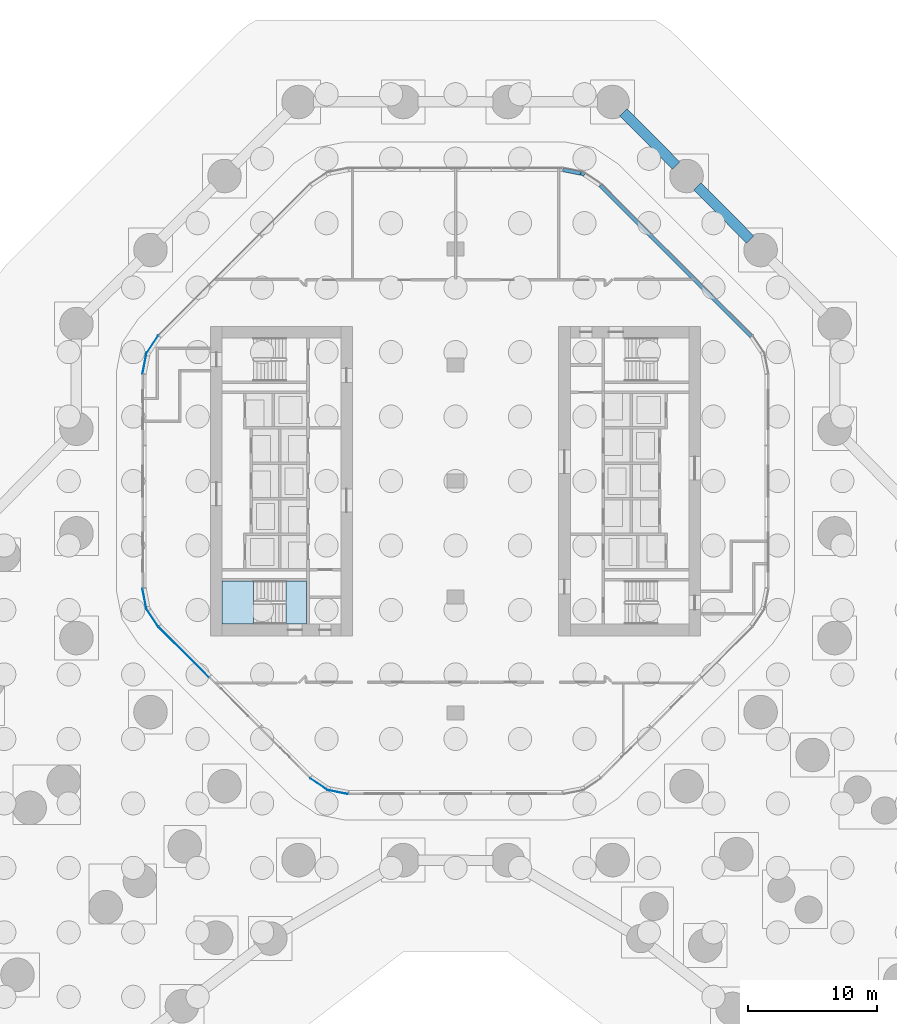
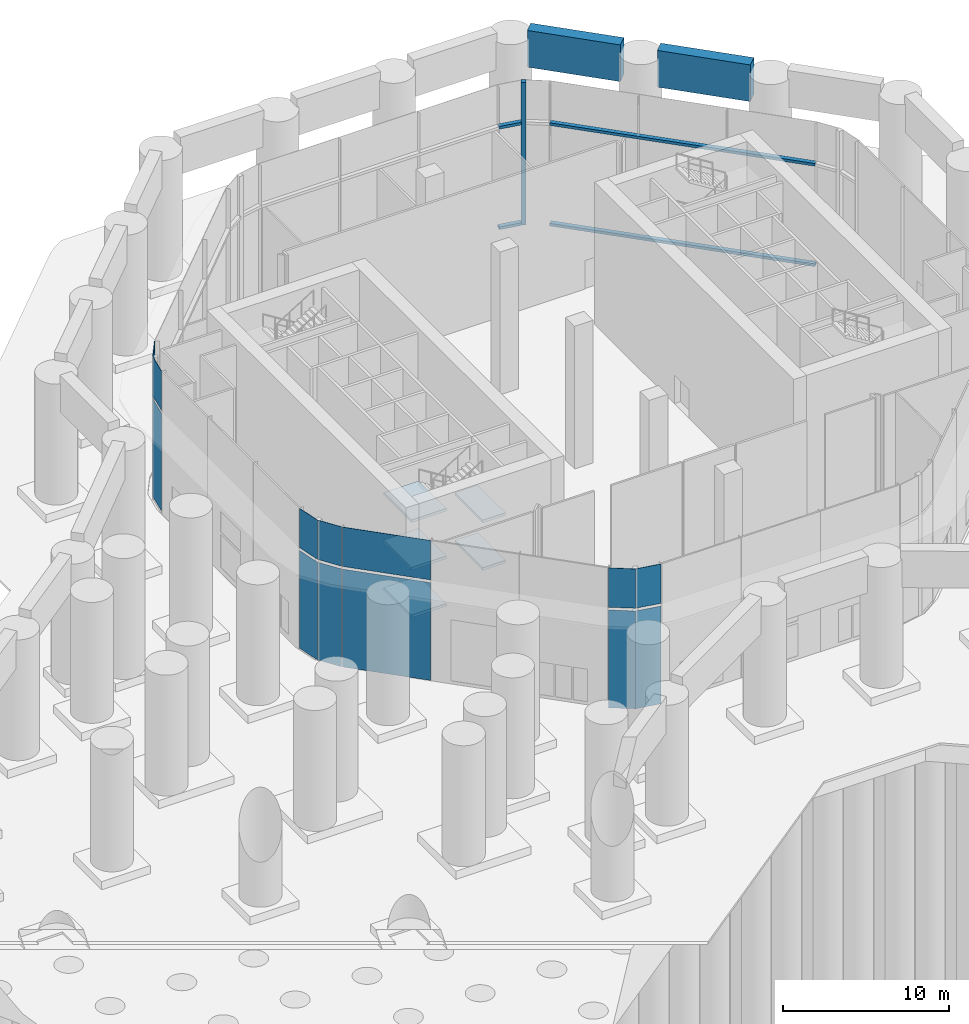
# One storey, part 19 of 31: 14 plates, 5 members, 5 slabs, 2 beams, 11 elements without a shape of their own.
"""IFC4 building model written with IfcOpenShell, lengths in metres."""

from ifc_helpers import new_model, si_unit, direction, frame, origin, origin_2d, place, context, subcontext, project, spatial, polyline, rectangle, outline, extrude, material, layer, layer_set, material_profile, profile_set, type_object, element, aggregate, save


model = new_model("IFC4")

# Units and contexts
model_context = context("Model", 3, precision=1e-05, world=origin(), true_north=direction((0.0, 1.0)))
body_context = subcontext(model_context, "Body", "Model", "MODEL_VIEW")
ifc_project = project(units=[si_unit("LENGTHUNIT", "METRE"), si_unit("AREAUNIT", "SQUARE_METRE"), si_unit("VOLUMEUNIT", "CUBIC_METRE"), si_unit("PLANEANGLEUNIT", "RADIAN"), si_unit("MASSUNIT", "GRAM", prefix="KILO")], contexts=[model_context])

# Site, building, storey
site_placement = place(None, origin())
site = spatial("IfcSite", under=ifc_project, at=site_placement, CompositionType="ELEMENT")
building_placement = place(site_placement, origin())
building = spatial("IfcBuilding", under=site, at=building_placement, Name="Orlundy Tower", CompositionType="ELEMENT")
storey_placement = place(building_placement, origin())
storey = spatial("IfcBuildingStorey", under=building, at=storey_placement, Name="L00", CompositionType="ELEMENT", Elevation=0.0)

# Curtain wall, member
ifc_material_1 = material(Name="Aluminium bronze anodised", Category="aluminium")
curtain_wall_type = type_object("IfcCurtainWallType", Name="CW3 wall", PredefinedType="NOTDEFINED", material=ifc_material_1)
curtain_wall_1_placement = place(storey_placement, origin())
curtain_wall_1 = element("IfcCurtainWall", 1, at=curtain_wall_1_placement, inside=storey, type_object=curtain_wall_type, Name="CW3 run 013", PredefinedType="NOTDEFINED")
ifc_material_2 = material(Name="Aluminium bronze anodised", Category="aluminium")
ifc_material_profile_1 = material_profile(ifc_material_2, rectangle(XDim=0.300048828125, YDim=0.300048828125, at=origin_2d()), Name="CW3 corner post 300x300")
ifc_profile_set_1 = profile_set([ifc_material_profile_1], Name="Aluminium bronze anodised")
member_type_1 = type_object("IfcMemberType", Name="CW3 corner post 300x300", PredefinedType="MULLION", material=ifc_profile_set_1)
member_1_placement = place(storey_placement, frame((9.87353515625, 23.83740234375, -0.39990234375), z_axis=(0.0, 0.0, 1.0), x_axis=(0.556177992729, 0.831063198802, 0.0)))
member_1 = element("IfcMember", 2, at=member_1_placement, type_object=member_type_1, Name="CW3 mullion 22", PredefinedType="MULLION", context=body_context, shape_type="SweptSolid", body=[
    extrude(rectangle(XDim=0.300048828125, YDim=0.300048828125, at=origin_2d()), origin(), (0.0, 0.0, 1.0), 10.5),
])
aggregate(curtain_wall_1, [member_1])

# Curtain wall, members
curtain_wall_2_placement = place(storey_placement, origin())
curtain_wall_2 = element("IfcCurtainWall", 3, at=curtain_wall_2_placement, inside=storey, type_object=curtain_wall_type, Name="CW3 run 012", PredefinedType="NOTDEFINED")
ifc_material_3 = material(Name="Aluminium bronze anodised", Category="aluminium")
ifc_material_profile_2 = material_profile(ifc_material_3, rectangle(XDim=0.300048828125, YDim=0.199951171875, at=origin_2d()), Name="CW3 transom 300x200")
ifc_profile_set_2 = profile_set([ifc_material_profile_2], Name="Aluminium bronze anodised")
member_type_2 = type_object("IfcMemberType", Name="CW3 transom 300x200", PredefinedType="USERDEFINED", material=ifc_profile_set_2)
member_2_placement = place(storey_placement, frame((8.313232421875, 24.147216796875, -0.300048828125), z_axis=(0.980836198653, -0.194834163873, 0.0), x_axis=(0.194834163873, 0.980836198653, 0.0)))
member_2 = element("IfcMember", 4, at=member_2_placement, type_object=member_type_2, Name="CW3 transom", ObjectType="TRANSOM", PredefinedType="USERDEFINED", context=body_context, shape_type="SweptSolid", body=[
    extrude(rectangle(XDim=0.300048828125, YDim=0.199951171875, at=origin_2d()), origin(), (0.0, 0.0, 1.0), 1.428466796875),
])
member_3_placement = place(storey_placement, frame((8.313232421875, 24.147216796875, 7.10009765625), z_axis=(0.980836198653, -0.194834163873, 0.0), x_axis=(0.194834163873, 0.980836198653, 0.0)))
member_3 = element("IfcMember", 5, at=member_3_placement, type_object=member_type_2, Name="CW3 transom", ObjectType="TRANSOM", PredefinedType="USERDEFINED", context=body_context, shape_type="SweptSolid", body=[
    extrude(rectangle(XDim=0.300048828125, YDim=0.199951171875, at=origin_2d()), origin(), (0.0, 0.0, 1.0), 1.428466796875),
])
aggregate(curtain_wall_2, [member_2, member_3])

curtain_wall_3_placement = place(storey_placement, origin())
curtain_wall_3 = element("IfcCurtainWall", 6, at=curtain_wall_3_placement, inside=storey, type_object=curtain_wall_type, Name="CW3 run 014", PredefinedType="NOTDEFINED")
member_4_placement = place(storey_placement, frame((11.218017578125, 22.93408203125, -0.300048828125), z_axis=(0.707106781187, -0.707106781187, 0.0), x_axis=(0.707106781187, 0.707106781187, 0.0)))
member_4 = element("IfcMember", 7, at=member_4_placement, type_object=member_type_2, Name="CW3 transom", ObjectType="TRANSOM", PredefinedType="USERDEFINED", context=body_context, shape_type="SweptSolid", body=[
    extrude(rectangle(XDim=0.300048828125, YDim=0.199951171875, at=origin_2d()), origin(), (0.0, 0.0, 1.0), 16.569091796875),
])
member_5_placement = place(storey_placement, frame((11.218017578125, 22.93408203125, 7.10009765625), z_axis=(0.707106781187, -0.707106781187, 0.0), x_axis=(0.707106781187, 0.707106781187, 0.0)))
member_5 = element("IfcMember", 8, at=member_5_placement, type_object=member_type_2, Name="CW3 transom", ObjectType="TRANSOM", PredefinedType="USERDEFINED", context=body_context, shape_type="SweptSolid", body=[
    extrude(rectangle(XDim=0.300048828125, YDim=0.199951171875, at=origin_2d()), origin(), (0.0, 0.0, 1.0), 16.569091796875),
])
aggregate(curtain_wall_3, [member_4, member_5])

# Beams
ifc_material_4 = material(Name="Concrete C80/95", Category="concrete")
ifc_material_profile_3 = material_profile(ifc_material_4, rectangle(XDim=0.800048828125, YDim=2.699951171875, at=origin_2d()), Name="RC800X2700")
ifc_profile_set_3 = profile_set([ifc_material_profile_3], Name="Concrete C80/95")
beam_type = type_object("IfcBeamType", Name="RC FASCIA BEAM RC800X2700 C80/95", PredefinedType="BEAM", material=ifc_profile_set_3)
beam_1_placement = place(storey_placement, frame((13.010986328125, 28.60693359375, 8.75), z_axis=(0.704248120444, -0.709953931499, 0.0), x_axis=(0.709953931499, 0.704248120444, 0.0)))
element("IfcBeam", 9, at=beam_1_placement, inside=storey, type_object=beam_type, Name="Fascia beam 24", PredefinedType="BEAM", context=body_context, shape_type="SweptSolid", body=[
    extrude(rectangle(XDim=0.800048828125, YDim=2.699951171875, at=origin_2d()), origin(), (0.0, 0.0, 1.0), 5.819091796875),
])
beam_2_placement = place(storey_placement, frame((18.751953125, 22.865966796875, 8.75), z_axis=(0.704247440474, -0.709954606003, 0.0), x_axis=(0.709954606003, 0.704247440474, 0.0)))
element("IfcBeam", 10, at=beam_2_placement, inside=storey, type_object=beam_type, Name="Fascia beam 25", PredefinedType="BEAM", context=body_context, shape_type="SweptSolid", body=[
    extrude(rectangle(XDim=0.800048828125, YDim=2.699951171875, at=origin_2d()), origin(), (0.0, 0.0, 1.0), 5.81787109375),
])

# Curtain wall, plates
curtain_wall_4_placement = place(storey_placement, origin())
curtain_wall_4 = element("IfcCurtainWall", 11, at=curtain_wall_4_placement, inside=storey, type_object=curtain_wall_type, Name="CW3 run 00", PredefinedType="NOTDEFINED")
ifc_material_5 = material(Name="Tinted glass", Category="glass")
ifc_layer_1 = layer(ifc_material_5, 0.02490234375)
ifc_layer_set_1 = layer_set([ifc_layer_1], Name="CW3 glass panel 25")
plate_type = type_object("IfcPlateType", Name="CW3 glass panel 25", PredefinedType="CURTAIN_PANEL", material=ifc_layer_set_1)
plate_1_placement = place(storey_placement, frame((-9.133544921875, -24.12451171875, -0.2001953125), z_axis=(0.0, 0.0, 1.0), x_axis=(-0.980850787713, 0.19476070508, 0.0)))
plate_1 = element("IfcPlate", 12, at=plate_1_placement, type_object=plate_type, Name="CW3 panel", PredefinedType="CURTAIN_PANEL", context=body_context, shape_type="SweptSolid", body=[
    extrude(rectangle(XDim=1.6181640625, YDim=0.02490234375, at=origin_2d()), origin(), (0.0, 0.0, 1.0), 7.199951171875),
])
plate_2_placement = place(storey_placement, frame((-9.133544921875, -24.12451171875, 7.199951171875), z_axis=(0.0, 0.0, 1.0), x_axis=(-0.980850787713, 0.19476070508, 0.0)))
plate_2 = element("IfcPlate", 13, at=plate_2_placement, type_object=plate_type, Name="CW3 panel", PredefinedType="CURTAIN_PANEL", context=body_context, shape_type="SweptSolid", body=[
    extrude(rectangle(XDim=1.6181640625, YDim=0.02490234375, at=origin_2d()), origin(), (0.0, 0.0, 1.0), 2.89990234375),
])
aggregate(curtain_wall_4, [plate_1, plate_2])

curtain_wall_5_placement = place(storey_placement, origin())
curtain_wall_5 = element("IfcCurtainWall", 14, at=curtain_wall_5_placement, inside=storey, type_object=curtain_wall_type, Name="CW3 run 01", PredefinedType="NOTDEFINED")
plate_3_placement = place(storey_placement, frame((-10.599609375, -23.516845703125, -0.2001953125), z_axis=(0.0, 0.0, 1.0), x_axis=(-0.831063198802, 0.556177992729, 0.0)))
plate_3 = element("IfcPlate", 15, at=plate_3_placement, type_object=plate_type, Name="CW3 panel", PredefinedType="CURTAIN_PANEL", context=body_context, shape_type="SweptSolid", body=[
    extrude(rectangle(XDim=1.617919921875, YDim=0.02490234375, at=origin_2d()), origin(), (0.0, 0.0, 1.0), 7.199951171875),
])
plate_4_placement = place(storey_placement, frame((-10.599609375, -23.516845703125, 7.199951171875), z_axis=(0.0, 0.0, 1.0), x_axis=(-0.831063198802, 0.556177992729, 0.0)))
plate_4 = element("IfcPlate", 16, at=plate_4_placement, type_object=plate_type, Name="CW3 panel", PredefinedType="CURTAIN_PANEL", context=body_context, shape_type="SweptSolid", body=[
    extrude(rectangle(XDim=1.617919921875, YDim=0.02490234375, at=origin_2d()), origin(), (0.0, 0.0, 1.0), 2.89990234375),
])
aggregate(curtain_wall_5, [plate_3, plate_4])

curtain_wall_6_placement = place(storey_placement, origin())
curtain_wall_6 = element("IfcCurtainWall", 17, at=curtain_wall_6_placement, inside=storey, type_object=curtain_wall_type, Name="CW3 run 02", PredefinedType="NOTDEFINED")
plate_5_placement = place(storey_placement, frame((-21.08203125, -13.2646484375, -0.2001953125), z_axis=(0.0, 0.0, 1.0), x_axis=(-0.707106781187, 0.707106781187, 0.0)))
plate_5 = element("IfcPlate", 18, at=plate_5_placement, type_object=plate_type, Name="CW3 panel", PredefinedType="CURTAIN_PANEL", context=body_context, shape_type="SweptSolid", body=[
    extrude(rectangle(XDim=5.513427734375, YDim=0.02490234375, at=origin_2d()), origin(), (0.0, 0.0, 1.0), 7.199951171875),
])
plate_6_placement = place(storey_placement, frame((-21.08203125, -13.2646484375, 7.199951171875), z_axis=(0.0, 0.0, 1.0), x_axis=(-0.707106781187, 0.707106781187, 0.0)))
plate_6 = element("IfcPlate", 19, at=plate_6_placement, type_object=plate_type, Name="CW3 panel", PredefinedType="CURTAIN_PANEL", context=body_context, shape_type="SweptSolid", body=[
    extrude(rectangle(XDim=5.513427734375, YDim=0.02490234375, at=origin_2d()), origin(), (0.0, 0.0, 1.0), 2.89990234375),
])
aggregate(curtain_wall_6, [plate_5, plate_6])

curtain_wall_7_placement = place(storey_placement, origin())
curtain_wall_7 = element("IfcCurtainWall", 20, at=curtain_wall_7_placement, inside=storey, type_object=curtain_wall_type, Name="CW3 run 03", PredefinedType="NOTDEFINED")
plate_7_placement = place(storey_placement, frame((-23.516845703125, -10.599609375, -0.2001953125), z_axis=(0.0, 0.0, 1.0), x_axis=(-0.556177992729, 0.831063198802, 0.0)))
plate_7 = element("IfcPlate", 21, at=plate_7_placement, type_object=plate_type, Name="CW3 panel", PredefinedType="CURTAIN_PANEL", context=body_context, shape_type="SweptSolid", body=[
    extrude(rectangle(XDim=1.617919921875, YDim=0.02490234375, at=origin_2d()), origin(), (0.0, 0.0, 1.0), 7.199951171875),
])
plate_8_placement = place(storey_placement, frame((-23.516845703125, -10.599609375, 7.199951171875), z_axis=(0.0, 0.0, 1.0), x_axis=(-0.556177992729, 0.831063198802, 0.0)))
plate_8 = element("IfcPlate", 22, at=plate_8_placement, type_object=plate_type, Name="CW3 panel", PredefinedType="CURTAIN_PANEL", context=body_context, shape_type="SweptSolid", body=[
    extrude(rectangle(XDim=1.617919921875, YDim=0.02490234375, at=origin_2d()), origin(), (0.0, 0.0, 1.0), 2.89990234375),
])
aggregate(curtain_wall_7, [plate_7, plate_8])

curtain_wall_8_placement = place(storey_placement, origin())
curtain_wall_8 = element("IfcCurtainWall", 23, at=curtain_wall_8_placement, inside=storey, type_object=curtain_wall_type, Name="CW3 run 04", PredefinedType="NOTDEFINED")
plate_9_placement = place(storey_placement, frame((-24.12451171875, -9.133544921875, -0.2001953125), z_axis=(0.0, 0.0, 1.0), x_axis=(-0.19476070508, 0.980850787713, 0.0)))
plate_9 = element("IfcPlate", 24, at=plate_9_placement, type_object=plate_type, Name="CW3 panel", PredefinedType="CURTAIN_PANEL", context=body_context, shape_type="SweptSolid", body=[
    extrude(rectangle(XDim=1.6181640625, YDim=0.02490234375, at=origin_2d()), origin(), (0.0, 0.0, 1.0), 7.199951171875),
])
plate_10_placement = place(storey_placement, frame((-24.12451171875, -9.133544921875, 7.199951171875), z_axis=(0.0, 0.0, 1.0), x_axis=(-0.19476070508, 0.980850787713, 0.0)))
plate_10 = element("IfcPlate", 25, at=plate_10_placement, type_object=plate_type, Name="CW3 panel", PredefinedType="CURTAIN_PANEL", context=body_context, shape_type="SweptSolid", body=[
    extrude(rectangle(XDim=1.6181640625, YDim=0.02490234375, at=origin_2d()), origin(), (0.0, 0.0, 1.0), 2.89990234375),
])
aggregate(curtain_wall_8, [plate_9, plate_10])

curtain_wall_9_placement = place(storey_placement, origin())
curtain_wall_9 = element("IfcCurtainWall", 26, at=curtain_wall_9_placement, inside=storey, type_object=curtain_wall_type, Name="CW3 run 06", PredefinedType="NOTDEFINED")
plate_11_placement = place(storey_placement, frame((-24.12451171875, 9.133544921875, -0.2001953125), z_axis=(0.0, 0.0, 1.0), x_axis=(0.19476070508, 0.980850787713, 0.0)))
plate_11 = element("IfcPlate", 27, at=plate_11_placement, type_object=plate_type, Name="CW3 panel", PredefinedType="CURTAIN_PANEL", context=body_context, shape_type="SweptSolid", body=[
    extrude(rectangle(XDim=1.6181640625, YDim=0.02490234375, at=origin_2d()), origin(), (0.0, 0.0, 1.0), 7.199951171875),
])
plate_12_placement = place(storey_placement, frame((-24.12451171875, 9.133544921875, 7.199951171875), z_axis=(0.0, 0.0, 1.0), x_axis=(0.19476070508, 0.980850787713, 0.0)))
plate_12 = element("IfcPlate", 28, at=plate_12_placement, type_object=plate_type, Name="CW3 panel", PredefinedType="CURTAIN_PANEL", context=body_context, shape_type="SweptSolid", body=[
    extrude(rectangle(XDim=1.6181640625, YDim=0.02490234375, at=origin_2d()), origin(), (0.0, 0.0, 1.0), 2.89990234375),
])
aggregate(curtain_wall_9, [plate_11, plate_12])

curtain_wall_10_placement = place(storey_placement, origin())
curtain_wall_10 = element("IfcCurtainWall", 29, at=curtain_wall_10_placement, inside=storey, type_object=curtain_wall_type, Name="CW3 run 07", PredefinedType="NOTDEFINED")
plate_13_placement = place(storey_placement, frame((-23.516845703125, 10.599609375, -0.2001953125), z_axis=(0.0, 0.0, 1.0), x_axis=(0.556177992729, 0.831063198802, 0.0)))
plate_13 = element("IfcPlate", 30, at=plate_13_placement, type_object=plate_type, Name="CW3 panel", PredefinedType="CURTAIN_PANEL", context=body_context, shape_type="SweptSolid", body=[
    extrude(rectangle(XDim=1.617919921875, YDim=0.02490234375, at=origin_2d()), origin(), (0.0, 0.0, 1.0), 7.199951171875),
])
plate_14_placement = place(storey_placement, frame((-23.516845703125, 10.599609375, 7.199951171875), z_axis=(0.0, 0.0, 1.0), x_axis=(0.556177992729, 0.831063198802, 0.0)))
plate_14 = element("IfcPlate", 31, at=plate_14_placement, type_object=plate_type, Name="CW3 panel", PredefinedType="CURTAIN_PANEL", context=body_context, shape_type="SweptSolid", body=[
    extrude(rectangle(XDim=1.617919921875, YDim=0.02490234375, at=origin_2d()), origin(), (0.0, 0.0, 1.0), 2.89990234375),
])
aggregate(curtain_wall_10, [plate_13, plate_14])

# Stair, slabs
ifc_material_6 = material(Name="Concrete C50/60", Category="concrete")
stair_type = type_object("IfcStairType", Name="Exit Stair 60 risers", PredefinedType="HALF_TURN_STAIR", material=ifc_material_6)
stair_placement = place(storey_placement, origin())
stair = element("IfcStair", 32, at=stair_placement, inside=storey, type_object=stair_type, Name="L00 Exit Stair ST-W2", PredefinedType="HALF_TURN_STAIR")
ifc_material_7 = material(Name="Concrete C50/60", Category="concrete")
ifc_layer_2 = layer(ifc_material_7, 0.199951171875)
ifc_layer_set_2 = layer_set([ifc_layer_2], Name="Exit Stair Landing")
slab_type = type_object("IfcSlabType", Name="Exit Stair Landing", PredefinedType="LANDING", material=ifc_layer_set_2)
slab_1_placement = place(storey_placement, frame((0.0, 0.0, 1.550048828125)))
slab_1 = element("IfcSlab", 33, at=slab_1_placement, type_object=slab_type, Name="ST-W2 landing 1", PredefinedType="LANDING", context=body_context, shape_type="SweptSolid", body=[
    extrude(outline(polyline([(-15.659912109375, -7.75), (-18.10009765625, -7.75), (-18.10009765625, -11.10009765625), (-15.659912109375, -11.10009765625), (-15.659912109375, -7.75)])), origin(), (0.0, 0.0, 1.0), 0.199951171875),
])
slab_2_placement = place(storey_placement, frame((0.0, 0.0, 3.300048828125)))
slab_2 = element("IfcSlab", 34, at=slab_2_placement, type_object=slab_type, Name="ST-W2 landing 2", PredefinedType="LANDING", context=body_context, shape_type="SweptSolid", body=[
    extrude(outline(polyline([(-11.5400390625, -7.75), (-13.139892578125, -7.75), (-13.139892578125, -11.10009765625), (-11.5400390625, -11.10009765625), (-11.5400390625, -7.75)])), origin(), (0.0, 0.0, 1.0), 0.199951171875),
])
slab_3_placement = place(storey_placement, frame((0.0, 0.0, 5.050048828125)))
slab_3 = element("IfcSlab", 35, at=slab_3_placement, type_object=slab_type, Name="ST-W2 landing 3", PredefinedType="LANDING", context=body_context, shape_type="SweptSolid", body=[
    extrude(outline(polyline([(-15.659912109375, -7.75), (-18.10009765625, -7.75), (-18.10009765625, -11.10009765625), (-15.659912109375, -11.10009765625), (-15.659912109375, -7.75)])), origin(), (0.0, 0.0, 1.0), 0.199951171875),
])
slab_4_placement = place(storey_placement, frame((0.0, 0.0, 6.800048828125)))
slab_4 = element("IfcSlab", 36, at=slab_4_placement, type_object=slab_type, Name="ST-W2 landing 4", PredefinedType="LANDING", context=body_context, shape_type="SweptSolid", body=[
    extrude(outline(polyline([(-11.5400390625, -7.75), (-13.139892578125, -7.75), (-13.139892578125, -11.10009765625), (-11.5400390625, -11.10009765625), (-11.5400390625, -7.75)])), origin(), (0.0, 0.0, 1.0), 0.199951171875),
])
slab_5_placement = place(storey_placement, frame((0.0, 0.0, 8.550048828125)))
slab_5 = element("IfcSlab", 37, at=slab_5_placement, type_object=slab_type, Name="ST-W2 landing 5", PredefinedType="LANDING", context=body_context, shape_type="SweptSolid", body=[
    extrude(outline(polyline([(-15.659912109375, -7.75), (-18.10009765625, -7.75), (-18.10009765625, -11.10009765625), (-15.659912109375, -11.10009765625), (-15.659912109375, -7.75)])), origin(), (0.0, 0.0, 1.0), 0.199951171875),
])
aggregate(stair, [slab_1, slab_2, slab_3, slab_4, slab_5])

save(model, "model.ifc")
